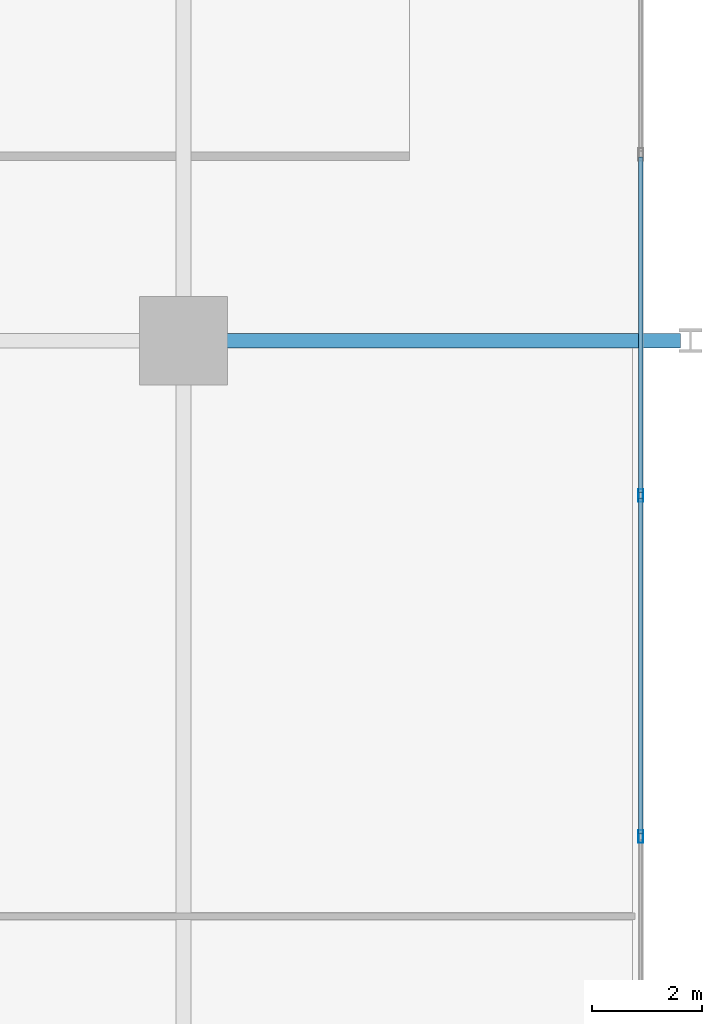
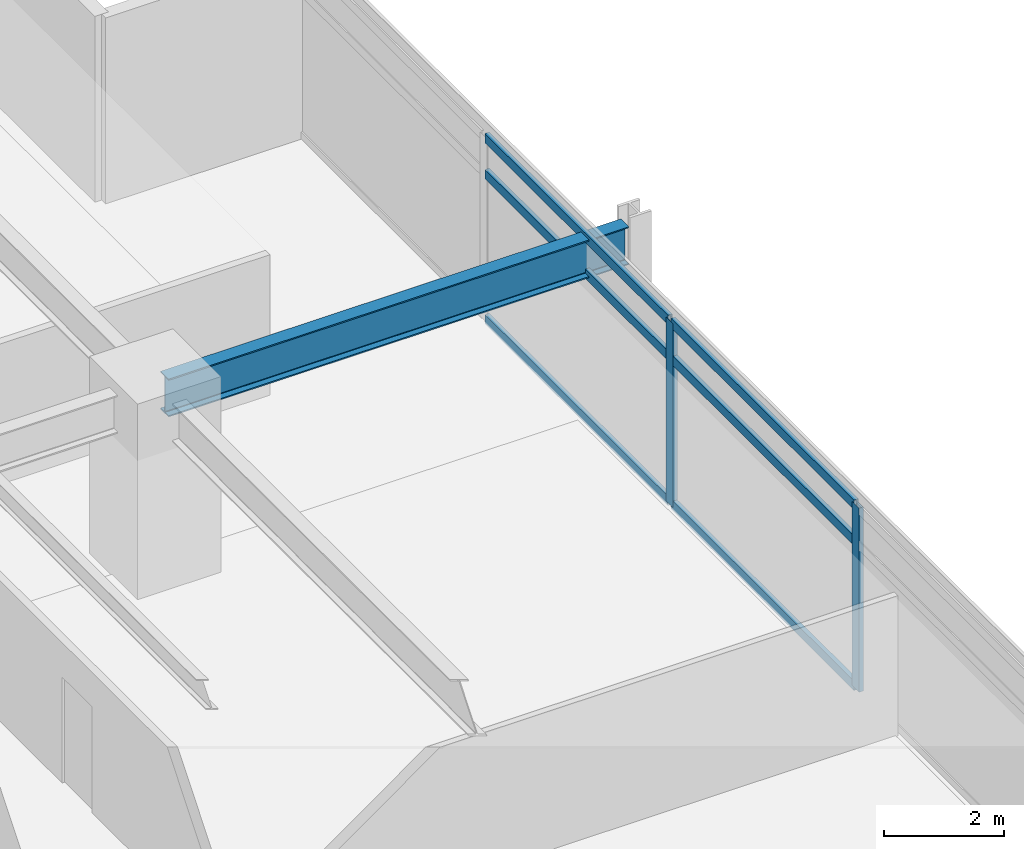
# One storey, part 9 of 20: 8 members, 1 beam, 1 element without a shape of its own.
"""IFC4 building model written with IfcOpenShell, lengths in metres."""

from ifc_helpers import new_model, si_unit, direction, frame, origin, origin_2d, place, context, subcontext, project, spatial, hollow_rectangle, i_section, extrude, material, material_profile, profile_set, type_object, element, aggregate, save


model = new_model("IFC4")

# Units and contexts
model_context = context("Model", 3, precision=1e-05, world=origin(), true_north=direction((0.0, 1.0)))
body_context = subcontext(model_context, "Body", "Model", "MODEL_VIEW")
ifc_project = project(units=[si_unit("LENGTHUNIT", "METRE"), si_unit("AREAUNIT", "SQUARE_METRE"), si_unit("VOLUMEUNIT", "CUBIC_METRE"), si_unit("PLANEANGLEUNIT", "RADIAN"), si_unit("MASSUNIT", "GRAM", prefix="KILO")], contexts=[model_context])

# Site, building, storey
site_placement = place(None, origin())
site = spatial("IfcSite", under=ifc_project, at=site_placement, CompositionType="ELEMENT")
building_placement = place(site_placement, origin())
building = spatial("IfcBuilding", under=site, at=building_placement, Name="Kovane Verandah Tower", CompositionType="ELEMENT")
storey_placement = place(building_placement, frame((0.0, 0.0, 164.39990234375)))
storey = spatial("IfcBuildingStorey", under=building, at=storey_placement, Name="L38", CompositionType="ELEMENT", Elevation=164.39990234375)

# Beam
ifc_material_1 = material(Name="Steel S355", Category="steel")
ifc_material_profile_1 = material_profile(ifc_material_1, i_section(OverallWidth=0.26806640625, OverallDepth=0.769775390625, WebThickness=0.015625, FlangeThickness=0.025390625, FilletRadius=0.0166015625, at=origin_2d()), Name="UB762x267x197")
ifc_profile_set_1 = profile_set([ifc_material_profile_1], Name="Steel S355")
beam_type = type_object("IfcBeamType", Name="BM-UB762x197", PredefinedType="BEAM", material=ifc_profile_set_1)
beam_placement = place(storey_placement, frame((58.580078125, 36.5, 3.375244140625), z_axis=(1.0, 0.0, 0.0), x_axis=(0.0, 1.0, 0.0)))
element("IfcBeam", 1, at=beam_placement, inside=storey, type_object=beam_type, Name="L38 Primary Tower Girder G-VE2", PredefinedType="BEAM", context=body_context, shape_type="SweptSolid", body=[
    extrude(i_section(OverallWidth=0.26806640625, OverallDepth=0.769775390625, WebThickness=0.015625, FlangeThickness=0.025390625, FilletRadius=0.0166015625, at=origin_2d()), origin(), (0.0, 0.0, 1.0), 8.83984375),
])

# Curtain wall, members
ifc_material_2 = material(Name="Champagne Anodised Aluminium Frame with Low-E Clear Laminated Glass", Category="aluminium")
curtain_wall_type = type_object("IfcCurtainWallType", Name="CW-SYS-03-MID", PredefinedType="NOTDEFINED", material=ifc_material_2)
curtain_wall_placement = place(storey_placement, origin())
curtain_wall = element("IfcCurtainWall", 2, at=curtain_wall_placement, inside=storey, type_object=curtain_wall_type, Name="L38 E Unitised Curtain Wall", PredefinedType="NOTDEFINED")
ifc_material_3 = material(Name="Champagne Anodised Aluminium 6063-T6", Category="aluminium")
ifc_material_profile_2 = material_profile(ifc_material_3, hollow_rectangle(XDim=0.0849609375, YDim=0.22998046875, WallThickness=0.00390625, at=origin_2d()), Name="AL85x230x4")
ifc_profile_set_2 = profile_set([ifc_material_profile_2], Name="Champagne Anodised Aluminium 6063-T6")
member_type_1 = type_object("IfcMemberType", Name="CW-MUL-85x230", PredefinedType="MULLION", material=ifc_profile_set_2)
member_1_placement = place(storey_placement, frame((66.697998046875, 27.5, 0.02001953125), z_axis=(0.0, 0.0, 1.0), x_axis=(1.0, 0.0, 0.0)))
member_1 = element("IfcMember", 3, at=member_1_placement, type_object=member_type_1, Name="L38 E Unitised Curtain Wall Mullion 4", PredefinedType="MULLION", context=body_context, shape_type="SweptSolid", body=[
    extrude(hollow_rectangle(XDim=0.0849609375, YDim=0.22998046875, WallThickness=0.00390625, at=origin_2d()), origin(), (0.0, 0.0, 1.0), 3.735107421875),
])
member_2_placement = place(storey_placement, frame((66.697998046875, 33.69091796875, 0.02001953125), z_axis=(0.0, 0.0, 1.0), x_axis=(1.0, 0.0, 0.0)))
member_2 = element("IfcMember", 4, at=member_2_placement, type_object=member_type_1, Name="L38 E Unitised Curtain Wall Mullion 5", PredefinedType="MULLION", context=body_context, shape_type="SweptSolid", body=[
    extrude(hollow_rectangle(XDim=0.0849609375, YDim=0.22998046875, WallThickness=0.00390625, at=origin_2d()), origin(), (0.0, 0.0, 1.0), 3.735107421875),
])
ifc_material_profile_3 = material_profile(ifc_material_3, hollow_rectangle(XDim=0.0849609375, YDim=0.18994140625, WallThickness=0.00390625, at=origin_2d()), Name="AL85x190x4")
ifc_profile_set_3 = profile_set([ifc_material_profile_3], Name="Champagne Anodised Aluminium 6063-T6")
member_type_2 = type_object("IfcMemberType", Name="CW-TRN-85x190", PredefinedType="USERDEFINED", material=ifc_profile_set_3)
member_3_placement = place(storey_placement, frame((66.697998046875, 27.550048828125, 0.050048828125), z_axis=(0.0, 1.0, 0.0), x_axis=(-1.0, 0.0, 0.0)))
member_3 = element("IfcMember", 5, at=member_3_placement, type_object=member_type_2, Name="L38 E Unitised Curtain Wall Transom TB Bay 4", ObjectType="TRANSOM", PredefinedType="USERDEFINED", context=body_context, shape_type="SweptSolid", body=[
    extrude(hollow_rectangle(XDim=0.0849609375, YDim=0.18994140625, WallThickness=0.00390625, at=origin_2d()), origin(), (0.0, 0.0, 1.0), 6.091064453125),
])
member_4_placement = place(storey_placement, frame((66.697998046875, 27.550048828125, 2.9951171875), z_axis=(0.0, 1.0, 0.0), x_axis=(-1.0, 0.0, 0.0)))
member_4 = element("IfcMember", 6, at=member_4_placement, type_object=member_type_2, Name="L38 E Unitised Curtain Wall Transom TM Bay 4", ObjectType="TRANSOM", PredefinedType="USERDEFINED", context=body_context, shape_type="SweptSolid", body=[
    extrude(hollow_rectangle(XDim=0.0849609375, YDim=0.18994140625, WallThickness=0.00390625, at=origin_2d()), origin(), (0.0, 0.0, 1.0), 6.091064453125),
])
member_5_placement = place(storey_placement, frame((66.697998046875, 27.550048828125, 3.72509765625), z_axis=(0.0, 1.0, 0.0), x_axis=(-1.0, 0.0, 0.0)))
member_5 = element("IfcMember", 7, at=member_5_placement, type_object=member_type_2, Name="L38 E Unitised Curtain Wall Transom TT Bay 4", ObjectType="TRANSOM", PredefinedType="USERDEFINED", context=body_context, shape_type="SweptSolid", body=[
    extrude(hollow_rectangle(XDim=0.0849609375, YDim=0.18994140625, WallThickness=0.00390625, at=origin_2d()), origin(), (0.0, 0.0, 1.0), 6.091064453125),
])
member_6_placement = place(storey_placement, frame((66.697998046875, 33.740966796875, 0.050048828125), z_axis=(0.0, 1.0, 0.0), x_axis=(-1.0, 0.0, 0.0)))
member_6 = element("IfcMember", 8, at=member_6_placement, type_object=member_type_2, Name="L38 E Unitised Curtain Wall Transom TB Bay 5", ObjectType="TRANSOM", PredefinedType="USERDEFINED", context=body_context, shape_type="SweptSolid", body=[
    extrude(hollow_rectangle(XDim=0.0849609375, YDim=0.18994140625, WallThickness=0.00390625, at=origin_2d()), origin(), (0.0, 0.0, 1.0), 6.091064453125),
])
member_7_placement = place(storey_placement, frame((66.697998046875, 33.740966796875, 2.9951171875), z_axis=(0.0, 1.0, 0.0), x_axis=(-1.0, 0.0, 0.0)))
member_7 = element("IfcMember", 9, at=member_7_placement, type_object=member_type_2, Name="L38 E Unitised Curtain Wall Transom TM Bay 5", ObjectType="TRANSOM", PredefinedType="USERDEFINED", context=body_context, shape_type="SweptSolid", body=[
    extrude(hollow_rectangle(XDim=0.0849609375, YDim=0.18994140625, WallThickness=0.00390625, at=origin_2d()), origin(), (0.0, 0.0, 1.0), 6.091064453125),
])
member_8_placement = place(storey_placement, frame((66.697998046875, 33.740966796875, 3.72509765625), z_axis=(0.0, 1.0, 0.0), x_axis=(-1.0, 0.0, 0.0)))
member_8 = element("IfcMember", 10, at=member_8_placement, type_object=member_type_2, Name="L38 E Unitised Curtain Wall Transom TT Bay 5", ObjectType="TRANSOM", PredefinedType="USERDEFINED", context=body_context, shape_type="SweptSolid", body=[
    extrude(hollow_rectangle(XDim=0.0849609375, YDim=0.18994140625, WallThickness=0.00390625, at=origin_2d()), origin(), (0.0, 0.0, 1.0), 6.091064453125),
])
aggregate(curtain_wall, [member_1, member_2, member_3, member_4, member_5, member_6, member_7, member_8])

save(model, "model.ifc")
